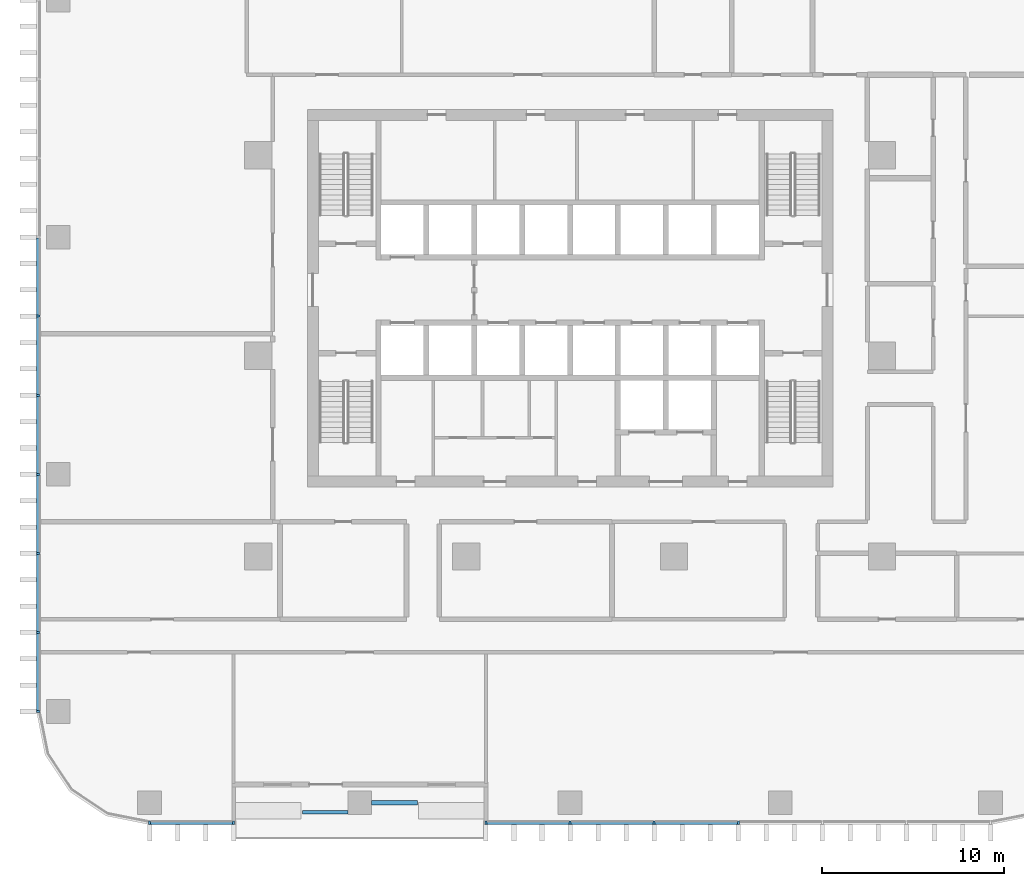
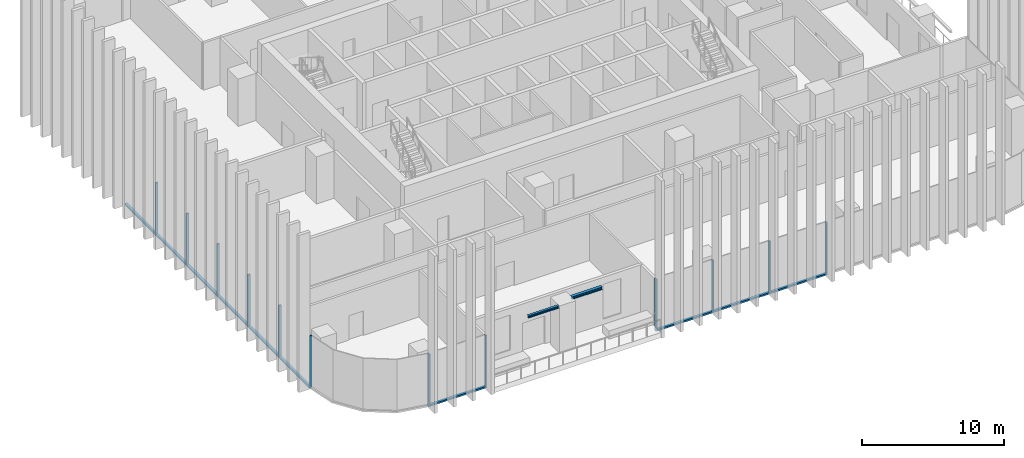
# One storey, part 2 of 17: 22 members, 2 beams, 3 elements without a shape of their own.
"""IFC4 building model written with IfcOpenShell, lengths in metres."""

from ifc_helpers import new_model, si_unit, direction, frame, origin, origin_2d, place, context, subcontext, project, spatial, rectangle, i_section, extrude, material, material_profile, profile_set, type_object, element, aggregate, save


model = new_model("IFC4")

# Units and contexts
model_context = context("Model", 3, precision=1e-05, world=origin(), true_north=direction((0.0, 1.0)))
body_context = subcontext(model_context, "Body", "Model", "MODEL_VIEW")
ifc_project = project(units=[si_unit("LENGTHUNIT", "METRE"), si_unit("AREAUNIT", "SQUARE_METRE"), si_unit("VOLUMEUNIT", "CUBIC_METRE"), si_unit("PLANEANGLEUNIT", "RADIAN"), si_unit("MASSUNIT", "GRAM", prefix="KILO")], contexts=[model_context])

# Site, building, storey
site_placement = place(None, origin())
site = spatial("IfcSite", under=ifc_project, at=site_placement, CompositionType="ELEMENT")
building_placement = place(site_placement, origin())
building = spatial("IfcBuilding", under=site, at=building_placement, Name="Mopane Tessera Tower", CompositionType="ELEMENT")
storey_placement = place(building_placement, frame((0.0, 0.0, 121.60009765625)))
storey = spatial("IfcBuildingStorey", under=building, at=storey_placement, Name="L24", CompositionType="ELEMENT", Elevation=121.60009765625)

# Curtain wall, members
ifc_material_1 = material(Name="Aluminium frame", Category="aluminium")
curtain_wall_type = type_object("IfcCurtainWallType", Name="Lower tower unitised wall", PredefinedType="NOTDEFINED", material=ifc_material_1)
curtain_wall_1_placement = place(storey_placement, origin())
curtain_wall_1 = element("IfcCurtainWall", 1, at=curtain_wall_1_placement, inside=storey, type_object=curtain_wall_type, Name="e:cw:L24:S:0", PredefinedType="NOTDEFINED")
ifc_material_2 = material(Name="Aluminium frame", Category="aluminium")
ifc_material_profile_1 = material_profile(ifc_material_2, rectangle(XDim=0.110107421875, YDim=0.199951171875, at=origin_2d()))
ifc_profile_set_1 = profile_set([ifc_material_profile_1], Name="Aluminium frame")
member_type_1 = type_object("IfcMemberType", Name="Aluminium mullion 110 x 200", PredefinedType="MULLION", material=ifc_profile_set_1)
member_1_placement = place(storey_placement, frame((-23.050048828125, -25.60009765625, -0.4501953125), z_axis=(0.0, 0.0, 1.0), x_axis=(1.0, 0.0, 0.0)))
member_1 = element("IfcMember", 2, at=member_1_placement, type_object=member_type_1, Name="e:cw:L24:S:0:mu0", PredefinedType="MULLION", context=body_context, shape_type="SweptSolid", body=[
    extrude(rectangle(XDim=0.110107421875, YDim=0.199951171875, at=origin_2d()), origin(), (0.0, 0.0, 1.0), 4.5),
])
member_2_placement = place(storey_placement, frame((-18.43994140625, -25.60009765625, -0.4501953125), z_axis=(0.0, 0.0, 1.0), x_axis=(1.0, 0.0, 0.0)))
member_2 = element("IfcMember", 3, at=member_2_placement, type_object=member_type_1, Name="e:cw:L24:S:0:mu1", PredefinedType="MULLION", context=body_context, shape_type="SweptSolid", body=[
    extrude(rectangle(XDim=0.110107421875, YDim=0.199951171875, at=origin_2d()), origin(), (0.0, 0.0, 1.0), 4.5),
])

curtain_wall_2_placement = place(storey_placement, origin())
curtain_wall_2 = element("IfcCurtainWall", 4, at=curtain_wall_2_placement, inside=storey, type_object=curtain_wall_type, Name="e:cw:L24:S:4", PredefinedType="NOTDEFINED")
member_3_placement = place(storey_placement, frame((-4.610107421875, -25.60009765625, -0.4501953125), z_axis=(0.0, 0.0, 1.0), x_axis=(1.0, 0.0, 0.0)))
member_3 = element("IfcMember", 5, at=member_3_placement, type_object=member_type_1, Name="e:cw:L24:S:4:mu4", PredefinedType="MULLION", context=body_context, shape_type="SweptSolid", body=[
    extrude(rectangle(XDim=0.110107421875, YDim=0.199951171875, at=origin_2d()), origin(), (0.0, 0.0, 1.0), 4.5),
])
member_4_placement = place(storey_placement, frame((0.0, -25.60009765625, -0.4501953125), z_axis=(0.0, 0.0, 1.0), x_axis=(1.0, 0.0, 0.0)))
member_4 = element("IfcMember", 6, at=member_4_placement, type_object=member_type_1, Name="e:cw:L24:S:4:mu5", PredefinedType="MULLION", context=body_context, shape_type="SweptSolid", body=[
    extrude(rectangle(XDim=0.110107421875, YDim=0.199951171875, at=origin_2d()), origin(), (0.0, 0.0, 1.0), 4.5),
])
member_5_placement = place(storey_placement, frame((4.610107421875, -25.60009765625, -0.4501953125), z_axis=(0.0, 0.0, 1.0), x_axis=(1.0, 0.0, 0.0)))
member_5 = element("IfcMember", 7, at=member_5_placement, type_object=member_type_1, Name="e:cw:L24:S:4:mu6", PredefinedType="MULLION", context=body_context, shape_type="SweptSolid", body=[
    extrude(rectangle(XDim=0.110107421875, YDim=0.199951171875, at=origin_2d()), origin(), (0.0, 0.0, 1.0), 4.5),
])
member_6_placement = place(storey_placement, frame((9.219970703125, -25.60009765625, -0.4501953125), z_axis=(0.0, 0.0, 1.0), x_axis=(1.0, 0.0, 0.0)))
member_6 = element("IfcMember", 8, at=member_6_placement, type_object=member_type_1, Name="e:cw:L24:S:4:mu7", PredefinedType="MULLION", context=body_context, shape_type="SweptSolid", body=[
    extrude(rectangle(XDim=0.110107421875, YDim=0.199951171875, at=origin_2d()), origin(), (0.0, 0.0, 1.0), 4.5),
])

curtain_wall_3_placement = place(storey_placement, origin())
curtain_wall_3 = element("IfcCurtainWall", 9, at=curtain_wall_3_placement, inside=storey, type_object=curtain_wall_type, Name="e:cw:L24:W:0", PredefinedType="NOTDEFINED")
member_7_placement = place(storey_placement, frame((-29.14990234375, 2.166748046875, -0.4501953125), z_axis=(0.0, 0.0, 1.0), x_axis=(0.0, -1.0, 0.0)))
member_7 = element("IfcMember", 10, at=member_7_placement, type_object=member_type_1, Name="e:cw:L24:W:0:mu4", PredefinedType="MULLION", context=body_context, shape_type="SweptSolid", body=[
    extrude(rectangle(XDim=0.110107421875, YDim=0.199951171875, at=origin_2d()), origin(), (0.0, 0.0, 1.0), 4.5),
])
member_8_placement = place(storey_placement, frame((-29.14990234375, -2.166748046875, -0.4501953125), z_axis=(0.0, 0.0, 1.0), x_axis=(0.0, -1.0, 0.0)))
member_8 = element("IfcMember", 11, at=member_8_placement, type_object=member_type_1, Name="e:cw:L24:W:0:mu5", PredefinedType="MULLION", context=body_context, shape_type="SweptSolid", body=[
    extrude(rectangle(XDim=0.110107421875, YDim=0.199951171875, at=origin_2d()), origin(), (0.0, 0.0, 1.0), 4.5),
])
member_9_placement = place(storey_placement, frame((-29.14990234375, -6.5, -0.4501953125), z_axis=(0.0, 0.0, 1.0), x_axis=(0.0, -1.0, 0.0)))
member_9 = element("IfcMember", 12, at=member_9_placement, type_object=member_type_1, Name="e:cw:L24:W:0:mu6", PredefinedType="MULLION", context=body_context, shape_type="SweptSolid", body=[
    extrude(rectangle(XDim=0.110107421875, YDim=0.199951171875, at=origin_2d()), origin(), (0.0, 0.0, 1.0), 4.5),
])
member_10_placement = place(storey_placement, frame((-29.14990234375, -10.833251953125, -0.4501953125), z_axis=(0.0, 0.0, 1.0), x_axis=(0.0, -1.0, 0.0)))
member_10 = element("IfcMember", 13, at=member_10_placement, type_object=member_type_1, Name="e:cw:L24:W:0:mu7", PredefinedType="MULLION", context=body_context, shape_type="SweptSolid", body=[
    extrude(rectangle(XDim=0.110107421875, YDim=0.199951171875, at=origin_2d()), origin(), (0.0, 0.0, 1.0), 4.5),
])
member_11_placement = place(storey_placement, frame((-29.14990234375, -15.166748046875, -0.4501953125), z_axis=(0.0, 0.0, 1.0), x_axis=(0.0, -1.0, 0.0)))
member_11 = element("IfcMember", 14, at=member_11_placement, type_object=member_type_1, Name="e:cw:L24:W:0:mu8", PredefinedType="MULLION", context=body_context, shape_type="SweptSolid", body=[
    extrude(rectangle(XDim=0.110107421875, YDim=0.199951171875, at=origin_2d()), origin(), (0.0, 0.0, 1.0), 4.5),
])
member_12_placement = place(storey_placement, frame((-29.14990234375, -19.5, -0.4501953125), z_axis=(0.0, 0.0, 1.0), x_axis=(0.0, -1.0, 0.0)))
member_12 = element("IfcMember", 15, at=member_12_placement, type_object=member_type_1, Name="e:cw:L24:W:0:mu9", PredefinedType="MULLION", context=body_context, shape_type="SweptSolid", body=[
    extrude(rectangle(XDim=0.110107421875, YDim=0.199951171875, at=origin_2d()), origin(), (0.0, 0.0, 1.0), 4.5),
])

# Member
ifc_material_3 = material(Name="Aluminium frame", Category="aluminium")
ifc_material_profile_2 = material_profile(ifc_material_3, rectangle(XDim=0.199951171875, YDim=0.139892578125, at=origin_2d()))
ifc_profile_set_2 = profile_set([ifc_material_profile_2], Name="Aluminium frame")
member_type_2 = type_object("IfcMemberType", Name="Aluminium transom 200 x 140", PredefinedType="USERDEFINED", material=ifc_profile_set_2)
member_13_placement = place(storey_placement, frame((-22.9951171875, -25.60009765625, -0.380126953125), z_axis=(1.0, 0.0, 0.0), x_axis=(0.0, 1.0, 0.0)))
member_13 = element("IfcMember", 16, at=member_13_placement, type_object=member_type_2, Name="e:cw:L24:S:0:tr0", ObjectType="TRANSOM", PredefinedType="USERDEFINED", context=body_context, shape_type="SweptSolid", body=[
    extrude(rectangle(XDim=0.199951171875, YDim=0.139892578125, at=origin_2d()), origin(), (0.0, 0.0, 1.0), 4.5),
])

aggregate(curtain_wall_1, [member_1, member_2, member_13])

member_14_placement = place(storey_placement, frame((-4.554931640625, -25.60009765625, -0.380126953125), z_axis=(1.0, 0.0, 0.0), x_axis=(0.0, 1.0, 0.0)))
member_14 = element("IfcMember", 17, at=member_14_placement, type_object=member_type_2, Name="e:cw:L24:S:4:tr4", ObjectType="TRANSOM", PredefinedType="USERDEFINED", context=body_context, shape_type="SweptSolid", body=[
    extrude(rectangle(XDim=0.199951171875, YDim=0.139892578125, at=origin_2d()), origin(), (0.0, 0.0, 1.0), 4.5),
])

member_15_placement = place(storey_placement, frame((0.054931640625, -25.60009765625, -0.380126953125), z_axis=(1.0, 0.0, 0.0), x_axis=(0.0, 1.0, 0.0)))
member_15 = element("IfcMember", 18, at=member_15_placement, type_object=member_type_2, Name="e:cw:L24:S:4:tr5", ObjectType="TRANSOM", PredefinedType="USERDEFINED", context=body_context, shape_type="SweptSolid", body=[
    extrude(rectangle(XDim=0.199951171875, YDim=0.139892578125, at=origin_2d()), origin(), (0.0, 0.0, 1.0), 4.5),
])

member_16_placement = place(storey_placement, frame((4.6650390625, -25.60009765625, -0.380126953125), z_axis=(1.0, 0.0, 0.0), x_axis=(0.0, 1.0, 0.0)))
member_16 = element("IfcMember", 19, at=member_16_placement, type_object=member_type_2, Name="e:cw:L24:S:4:tr6", ObjectType="TRANSOM", PredefinedType="USERDEFINED", context=body_context, shape_type="SweptSolid", body=[
    extrude(rectangle(XDim=0.199951171875, YDim=0.139892578125, at=origin_2d()), origin(), (0.0, 0.0, 1.0), 4.5),
])

aggregate(curtain_wall_2, [member_3, member_4, member_5, member_6, member_14, member_15, member_16])

member_17_placement = place(storey_placement, frame((-29.14990234375, 6.445068359375, -0.380126953125), z_axis=(0.0, -1.0, 0.0), x_axis=(1.0, 0.0, 0.0)))
member_17 = element("IfcMember", 20, at=member_17_placement, type_object=member_type_2, Name="e:cw:L24:W:0:tr3", ObjectType="TRANSOM", PredefinedType="USERDEFINED", context=body_context, shape_type="SweptSolid", body=[
    extrude(rectangle(XDim=0.199951171875, YDim=0.139892578125, at=origin_2d()), origin(), (0.0, 0.0, 1.0), 4.223388671875),
])

member_18_placement = place(storey_placement, frame((-29.14990234375, 2.111572265625, -0.380126953125), z_axis=(0.0, -1.0, 0.0), x_axis=(1.0, 0.0, 0.0)))
member_18 = element("IfcMember", 21, at=member_18_placement, type_object=member_type_2, Name="e:cw:L24:W:0:tr4", ObjectType="TRANSOM", PredefinedType="USERDEFINED", context=body_context, shape_type="SweptSolid", body=[
    extrude(rectangle(XDim=0.199951171875, YDim=0.139892578125, at=origin_2d()), origin(), (0.0, 0.0, 1.0), 4.22314453125),
])

member_19_placement = place(storey_placement, frame((-29.14990234375, -2.2216796875, -0.380126953125), z_axis=(0.0, -1.0, 0.0), x_axis=(1.0, 0.0, 0.0)))
member_19 = element("IfcMember", 22, at=member_19_placement, type_object=member_type_2, Name="e:cw:L24:W:0:tr5", ObjectType="TRANSOM", PredefinedType="USERDEFINED", context=body_context, shape_type="SweptSolid", body=[
    extrude(rectangle(XDim=0.199951171875, YDim=0.139892578125, at=origin_2d()), origin(), (0.0, 0.0, 1.0), 4.223388671875),
])

member_20_placement = place(storey_placement, frame((-29.14990234375, -6.554931640625, -0.380126953125), z_axis=(0.0, -1.0, 0.0), x_axis=(1.0, 0.0, 0.0)))
member_20 = element("IfcMember", 23, at=member_20_placement, type_object=member_type_2, Name="e:cw:L24:W:0:tr6", ObjectType="TRANSOM", PredefinedType="USERDEFINED", context=body_context, shape_type="SweptSolid", body=[
    extrude(rectangle(XDim=0.199951171875, YDim=0.139892578125, at=origin_2d()), origin(), (0.0, 0.0, 1.0), 4.223388671875),
])

member_21_placement = place(storey_placement, frame((-29.14990234375, -10.888427734375, -0.380126953125), z_axis=(0.0, -1.0, 0.0), x_axis=(1.0, 0.0, 0.0)))
member_21 = element("IfcMember", 24, at=member_21_placement, type_object=member_type_2, Name="e:cw:L24:W:0:tr7", ObjectType="TRANSOM", PredefinedType="USERDEFINED", context=body_context, shape_type="SweptSolid", body=[
    extrude(rectangle(XDim=0.199951171875, YDim=0.139892578125, at=origin_2d()), origin(), (0.0, 0.0, 1.0), 4.22314453125),
])

member_22_placement = place(storey_placement, frame((-29.14990234375, -15.2216796875, -0.380126953125), z_axis=(0.0, -1.0, 0.0), x_axis=(1.0, 0.0, 0.0)))
member_22 = element("IfcMember", 25, at=member_22_placement, type_object=member_type_2, Name="e:cw:L24:W:0:tr8", ObjectType="TRANSOM", PredefinedType="USERDEFINED", context=body_context, shape_type="SweptSolid", body=[
    extrude(rectangle(XDim=0.199951171875, YDim=0.139892578125, at=origin_2d()), origin(), (0.0, 0.0, 1.0), 4.223388671875),
])

aggregate(curtain_wall_3, [member_7, member_8, member_9, member_10, member_11, member_12, member_17, member_18, member_19, member_20, member_21, member_22])

# Beams
ifc_material_4 = material(Name="Structural steel S460", Category="steel")
ifc_material_profile_3 = material_profile(ifc_material_4, i_section(OverallWidth=0.239990234375, OverallDepth=0.239990234375, WebThickness=0.010009765625, FlangeThickness=0.01708984375, FilletRadius=0.02099609375, at=origin_2d()))
ifc_profile_set_3 = profile_set([ifc_material_profile_3], Name="Structural steel S460")
beam_type_1 = type_object("IfcBeamType", Name="Terrace spandrel beam HE 240 B", PredefinedType="SPANDREL", material=ifc_profile_set_3)
beam_1_placement = place(storey_placement, frame((-10.871826171875, -24.5, 3.929931640625), z_axis=(1.0, 0.0, 0.0), x_axis=(0.0, 1.0, 0.0)))
element("IfcBeam", 26, at=beam_1_placement, inside=storey, type_object=beam_type_1, Name="Terrace spandrel beam N2 L25", PredefinedType="SPANDREL", context=body_context, shape_type="SweptSolid", body=[
    extrude(i_section(OverallWidth=0.239990234375, OverallDepth=0.239990234375, WebThickness=0.010009765625, FlangeThickness=0.01708984375, FilletRadius=0.02099609375, at=origin_2d()), origin(), (0.0, 0.0, 1.0), 2.5),
])
ifc_material_5 = material(Name="Structural steel S460", Category="steel")
ifc_material_profile_4 = material_profile(ifc_material_5, i_section(OverallWidth=0.199951171875, OverallDepth=0.199951171875, WebThickness=0.009033203125, FlangeThickness=0.014892578125, FilletRadius=0.01806640625, at=origin_2d()))
ifc_profile_set_4 = profile_set([ifc_material_profile_4], Name="Structural steel S460")
beam_type_2 = type_object("IfcBeamType", Name="Terrace trimmer beam HE 200 B", PredefinedType="BEAM", material=ifc_profile_set_4)
beam_2_placement = place(storey_placement, frame((-12.177978515625, -25.02001953125, 3.949951171875), z_axis=(-1.0, 0.0, 0.0), x_axis=(0.0, -1.0, 0.0)))
element("IfcBeam", 27, at=beam_2_placement, inside=storey, type_object=beam_type_2, Name="Terrace trimmer beam N2 L25", PredefinedType="BEAM", context=body_context, shape_type="SweptSolid", body=[
    extrude(i_section(OverallWidth=0.199951171875, OverallDepth=0.199951171875, WebThickness=0.009033203125, FlangeThickness=0.014892578125, FilletRadius=0.01806640625, at=origin_2d()), origin(), (0.0, 0.0, 1.0), 2.5),
])

save(model, "model.ifc")
